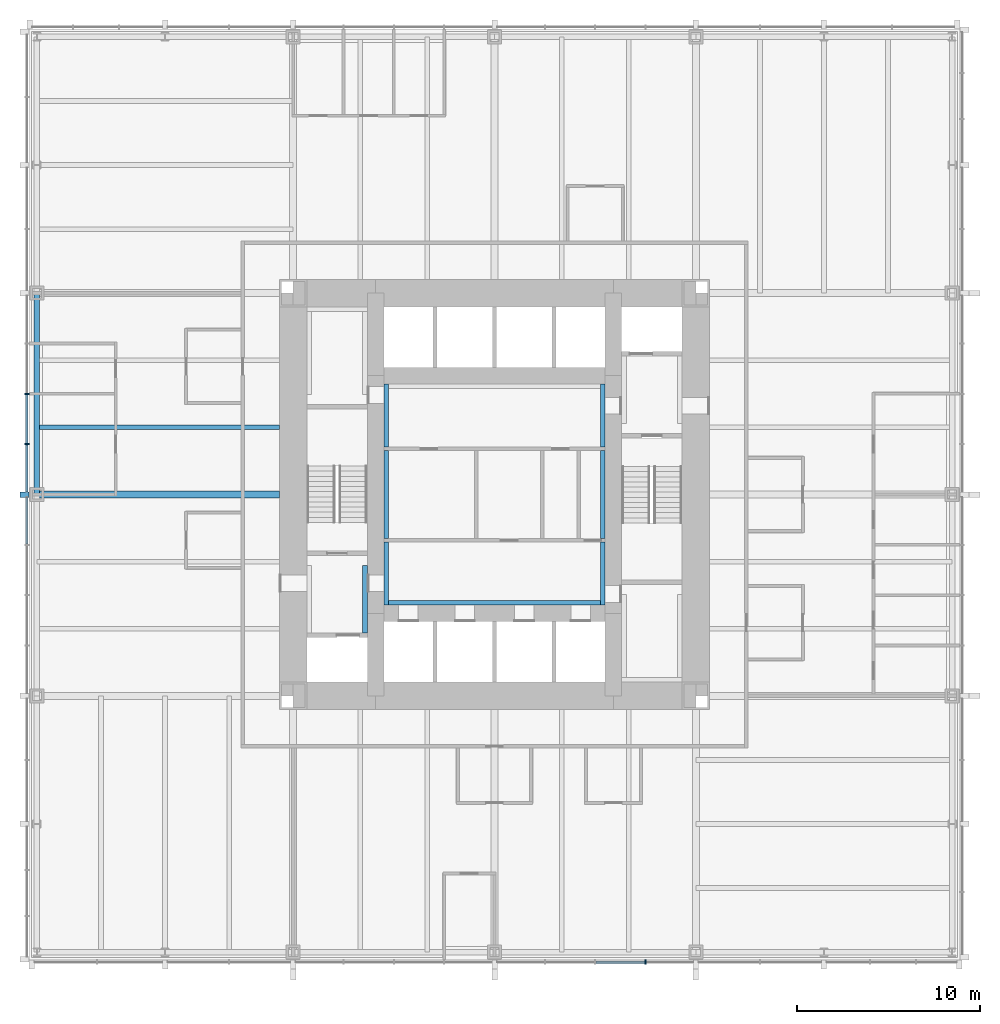
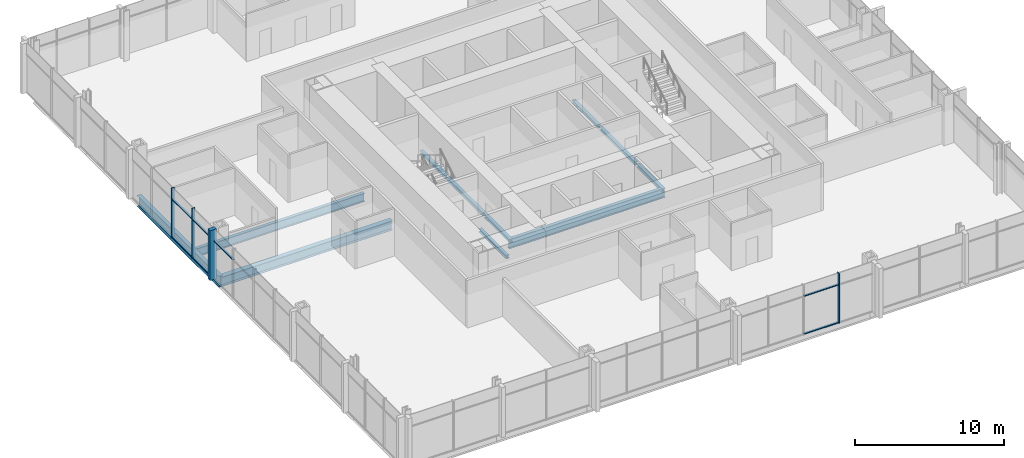
# One storey, part 3 of 12: 11 beams, 11 members, 2 elements without a shape of their own.
"""IFC4 building model written with IfcOpenShell, lengths in metres."""

from ifc_helpers import new_model, si_unit, direction, frame, origin, origin_2d, place, context, subcontext, project, spatial, rectangle, i_section, extrude, material, material_profile, profile_set, type_object, element, aggregate, save


model = new_model("IFC4")

# Units and contexts
model_context = context("Model", 3, precision=1e-05, world=origin(), true_north=direction((0.0, 1.0)))
body_context = subcontext(model_context, "Body", "Model", "MODEL_VIEW")
ifc_project = project(units=[si_unit("LENGTHUNIT", "METRE"), si_unit("AREAUNIT", "SQUARE_METRE"), si_unit("VOLUMEUNIT", "CUBIC_METRE"), si_unit("PLANEANGLEUNIT", "RADIAN"), si_unit("MASSUNIT", "GRAM", prefix="KILO")], contexts=[model_context])

# Site, building, storey
site_placement = place(None, origin())
site = spatial("IfcSite", under=ifc_project, at=site_placement, CompositionType="ELEMENT")
building_placement = place(site_placement, origin())
building = spatial("IfcBuilding", under=site, at=building_placement, Name="Trevanion Tower", CompositionType="ELEMENT")
storey_placement = place(building_placement, frame((0.0, 0.0, 40.60009765625)))
storey = spatial("IfcBuildingStorey", under=building, at=storey_placement, Name="L09", CompositionType="ELEMENT", Elevation=40.60009765625)

# Beam
ifc_material_1 = material(Name="Steel ASTM A992 Grade 50", Category="steel")
ifc_material_profile_1 = material_profile(ifc_material_1, i_section(OverallWidth=0.25390625, OverallDepth=0.700927734375, WebThickness=0.015380859375, FlangeThickness=0.02783203125, at=origin_2d()), Name="W27X129")
ifc_profile_set_1 = profile_set([ifc_material_profile_1], Name="Steel ASTM A992 Grade 50")
beam_type_1 = type_object("IfcBeamType", Name="B3 W27X129", PredefinedType="BEAM", material=ifc_profile_set_1)
beam_1_placement = place(storey_placement, frame((-11.75, 3.666748046875, -0.54052734375), z_axis=(-1.0, 0.0, 0.0), x_axis=(0.0, -1.0, 0.0)))
element("IfcBeam", 1, at=beam_1_placement, inside=storey, type_object=beam_type_1, Name="B3 L09", PredefinedType="BEAM", context=body_context, shape_type="SweptSolid", body=[
    extrude(i_section(OverallWidth=0.25390625, OverallDepth=0.700927734375, WebThickness=0.015380859375, FlangeThickness=0.02783203125, at=origin_2d()), origin(), (0.0, 0.0, 1.0), 13.25),
])

# Curtain wall, members
ifc_material_2 = material(Name="Aluminium and glass", Category="aluminium")
curtain_wall_type = type_object("IfcCurtainWallType", Name="CW1 curtain wall", PredefinedType="USERDEFINED", material=ifc_material_2)
curtain_wall_1_placement = place(storey_placement, origin())
curtain_wall_1 = element("IfcCurtainWall", 2, at=curtain_wall_1_placement, inside=storey, type_object=curtain_wall_type, Name="CW1 L09 2", ObjectType="UNITISED CURTAIN WALL", PredefinedType="USERDEFINED")
ifc_material_3 = material(Name="Aluminium extrusion, anodised bronze", Category="aluminium")
ifc_material_profile_2 = material_profile(ifc_material_3, rectangle(XDim=0.074951171875, YDim=0.25, at=origin_2d()), Name="CW1 mullion")
ifc_profile_set_2 = profile_set([ifc_material_profile_2], Name="Aluminium extrusion, anodised bronze")
member_type_1 = type_object("IfcMemberType", Name="CW1 mullion", PredefinedType="MULLION", material=ifc_profile_set_2)
member_1_placement = place(storey_placement, frame((-25.550048828125, 5.5, -0.190185546875), z_axis=(0.0, 0.0, 1.0), x_axis=(0.0, -1.0, 0.0)))
member_1 = element("IfcMember", 3, at=member_1_placement, type_object=member_type_1, Name="CW1 mullion 7", PredefinedType="MULLION", context=body_context, shape_type="SweptSolid", body=[
    extrude(rectangle(XDim=0.074951171875, YDim=0.25, at=origin_2d()), origin(), (0.0, 0.0, 1.0), 4.10009765625),
])
member_2_placement = place(storey_placement, frame((-25.550048828125, 2.75, -0.190185546875), z_axis=(0.0, 0.0, 1.0), x_axis=(0.0, -1.0, 0.0)))
member_2 = element("IfcMember", 4, at=member_2_placement, type_object=member_type_1, Name="CW1 mullion 8", PredefinedType="MULLION", context=body_context, shape_type="SweptSolid", body=[
    extrude(rectangle(XDim=0.074951171875, YDim=0.25, at=origin_2d()), origin(), (0.0, 0.0, 1.0), 4.10009765625),
])

# Curtain wall, member
curtain_wall_2_placement = place(storey_placement, origin())
curtain_wall_2 = element("IfcCurtainWall", 5, at=curtain_wall_2_placement, inside=storey, type_object=curtain_wall_type, Name="CW1 L09 3", ObjectType="UNITISED CURTAIN WALL", PredefinedType="USERDEFINED")
member_3_placement = place(storey_placement, frame((8.25, -25.550048828125, -0.190185546875), z_axis=(0.0, 0.0, 1.0), x_axis=(1.0, 0.0, 0.0)))
member_3 = element("IfcMember", 6, at=member_3_placement, type_object=member_type_1, Name="CW1 mullion 12", PredefinedType="MULLION", context=body_context, shape_type="SweptSolid", body=[
    extrude(rectangle(XDim=0.074951171875, YDim=0.25, at=origin_2d()), origin(), (0.0, 0.0, 1.0), 4.10009765625),
])

# Member
ifc_material_4 = material(Name="Aluminium extrusion, anodised bronze", Category="aluminium")
ifc_material_profile_3 = material_profile(ifc_material_4, rectangle(XDim=0.300048828125, YDim=0.5, at=origin_2d()), Name="CW1 pier mullion")
ifc_profile_set_3 = profile_set([ifc_material_profile_3], Name="Aluminium extrusion, anodised bronze")
member_type_2 = type_object("IfcMemberType", Name="CW1 pier mullion", PredefinedType="MULLION", material=ifc_profile_set_3)
member_4_placement = place(storey_placement, frame((-25.675048828125, 0.0, -0.190185546875), z_axis=(0.0, 0.0, 1.0), x_axis=(0.0, -1.0, 0.0)))
member_4 = element("IfcMember", 7, at=member_4_placement, type_object=member_type_2, Name="CW1 pier mullion 9", PredefinedType="MULLION", context=body_context, shape_type="SweptSolid", body=[
    extrude(rectangle(XDim=0.300048828125, YDim=0.5, at=origin_2d()), origin(), (0.0, 0.0, 1.0), 4.10009765625),
])

ifc_material_5 = material(Name="Aluminium extrusion, anodised bronze", Category="aluminium")
ifc_material_profile_4 = material_profile(ifc_material_5, rectangle(XDim=0.14990234375, YDim=0.074951171875, at=origin_2d()), Name="CW1 transom")
ifc_profile_set_4 = profile_set([ifc_material_profile_4], Name="Aluminium extrusion, anodised bronze")
member_type_3 = type_object("IfcMemberType", Name="CW1 transom", PredefinedType="USERDEFINED", material=ifc_profile_set_4)
member_5_placement = place(storey_placement, frame((-25.550048828125, 5.46240234375, -0.152587890625), z_axis=(0.0, -1.0, 0.0), x_axis=(1.0, 0.0, 0.0)))
member_5 = element("IfcMember", 8, at=member_5_placement, type_object=member_type_3, Name="CW1 transom 7.1", ObjectType="TRANSOM", PredefinedType="USERDEFINED", context=body_context, shape_type="SweptSolid", body=[
    extrude(rectangle(XDim=0.14990234375, YDim=0.074951171875, at=origin_2d()), origin(), (0.0, 0.0, 1.0), 2.6748046875),
])

member_6_placement = place(storey_placement, frame((-25.550048828125, 5.46240234375, 2.9599609375), z_axis=(0.0, -1.0, 0.0), x_axis=(1.0, 0.0, 0.0)))
member_6 = element("IfcMember", 9, at=member_6_placement, type_object=member_type_3, Name="CW1 transom 7.2", ObjectType="TRANSOM", PredefinedType="USERDEFINED", context=body_context, shape_type="SweptSolid", body=[
    extrude(rectangle(XDim=0.14990234375, YDim=0.074951171875, at=origin_2d()), origin(), (0.0, 0.0, 1.0), 2.6748046875),
])

member_7_placement = place(storey_placement, frame((-25.550048828125, 2.71240234375, -0.152587890625), z_axis=(0.0, -1.0, 0.0), x_axis=(1.0, 0.0, 0.0)))
member_7 = element("IfcMember", 10, at=member_7_placement, type_object=member_type_3, Name="CW1 transom 8.1", ObjectType="TRANSOM", PredefinedType="USERDEFINED", context=body_context, shape_type="SweptSolid", body=[
    extrude(rectangle(XDim=0.14990234375, YDim=0.074951171875, at=origin_2d()), origin(), (0.0, 0.0, 1.0), 2.5625),
])

member_8_placement = place(storey_placement, frame((-25.550048828125, 2.71240234375, 2.9599609375), z_axis=(0.0, -1.0, 0.0), x_axis=(1.0, 0.0, 0.0)))
member_8 = element("IfcMember", 11, at=member_8_placement, type_object=member_type_3, Name="CW1 transom 8.2", ObjectType="TRANSOM", PredefinedType="USERDEFINED", context=body_context, shape_type="SweptSolid", body=[
    extrude(rectangle(XDim=0.14990234375, YDim=0.074951171875, at=origin_2d()), origin(), (0.0, 0.0, 1.0), 2.5625),
])

member_9_placement = place(storey_placement, frame((-25.550048828125, -0.14990234375, 2.9599609375), z_axis=(0.0, -1.0, 0.0), x_axis=(1.0, 0.0, 0.0)))
member_9 = element("IfcMember", 12, at=member_9_placement, type_object=member_type_3, Name="CW1 transom 9.2", ObjectType="TRANSOM", PredefinedType="USERDEFINED", context=body_context, shape_type="SweptSolid", body=[
    extrude(rectangle(XDim=0.14990234375, YDim=0.074951171875, at=origin_2d()), origin(), (0.0, 0.0, 1.0), 2.5625),
])

aggregate(curtain_wall_1, [member_1, member_2, member_4, member_5, member_6, member_7, member_8, member_9])

member_10_placement = place(storey_placement, frame((5.53759765625, -25.550048828125, -0.152587890625), z_axis=(1.0, 0.0, 0.0), x_axis=(0.0, 1.0, 0.0)))
member_10 = element("IfcMember", 13, at=member_10_placement, type_object=member_type_3, Name="CW1 transom 11.1", ObjectType="TRANSOM", PredefinedType="USERDEFINED", context=body_context, shape_type="SweptSolid", body=[
    extrude(rectangle(XDim=0.14990234375, YDim=0.074951171875, at=origin_2d()), origin(), (0.0, 0.0, 1.0), 2.6748046875),
])

member_11_placement = place(storey_placement, frame((5.53759765625, -25.550048828125, 2.9599609375), z_axis=(1.0, 0.0, 0.0), x_axis=(0.0, 1.0, 0.0)))
member_11 = element("IfcMember", 14, at=member_11_placement, type_object=member_type_3, Name="CW1 transom 11.2", ObjectType="TRANSOM", PredefinedType="USERDEFINED", context=body_context, shape_type="SweptSolid", body=[
    extrude(rectangle(XDim=0.14990234375, YDim=0.074951171875, at=origin_2d()), origin(), (0.0, 0.0, 1.0), 2.6748046875),
])

aggregate(curtain_wall_2, [member_3, member_10, member_11])

# Beams
ifc_material_6 = material(Name="Steel ASTM A992 Grade 50", Category="steel")
ifc_material_profile_5 = material_profile(ifc_material_6, i_section(OverallWidth=0.381103515625, OverallDepth=0.77978515625, WebThickness=0.01806640625, FlangeThickness=0.0302734375, at=origin_2d()), Name="W30X191")
ifc_profile_set_5 = profile_set([ifc_material_profile_5], Name="Steel ASTM A992 Grade 50")
beam_type_2 = type_object("IfcBeamType", Name="G2 W30X191", PredefinedType="BEAM", material=ifc_profile_set_5)
beam_2_placement = place(storey_placement, frame((-11.75, 0.0, -0.580078125), z_axis=(-1.0, 0.0, 0.0), x_axis=(0.0, -1.0, 0.0)))
element("IfcBeam", 15, at=beam_2_placement, inside=storey, type_object=beam_type_2, Name="G2 L09", PredefinedType="BEAM", context=body_context, shape_type="SweptSolid", body=[
    extrude(i_section(OverallWidth=0.381103515625, OverallDepth=0.77978515625, WebThickness=0.01806640625, FlangeThickness=0.0302734375, at=origin_2d()), origin(), (0.0, 0.0, 1.0), 13.25),
])
ifc_material_7 = material(Name="Steel ASTM A992 Grade 50", Category="steel")
ifc_material_profile_6 = material_profile(ifc_material_7, i_section(OverallWidth=0.256591796875, OverallDepth=0.26416015625, WebThickness=0.011962890625, FlangeThickness=0.01953125, at=origin_2d()), Name="W10X68")
ifc_profile_set_6 = profile_set([ifc_material_profile_6], Name="Steel ASTM A992 Grade 50")
beam_type_3 = type_object("IfcBeamType", Name="LB1 W10X68", PredefinedType="BEAM", material=ifc_profile_set_6)
for number, where, z_axis, x_axis, name in (
    (16, (-5.921630859375, 2.60009765625, -0.332275390625), (0.0, 1.0, 0.0), (-1.0, 0.0, 0.0), "LB1 L09"),
    (17, (5.921630859375, 2.60009765625, -0.332275390625), (0.0, 1.0, 0.0), (-1.0, 0.0, 0.0), "LB1 L09"),
    (18, (-5.921630859375, -6.050048828125, -0.332275390625), (0.0, 1.0, 0.0), (-1.0, 0.0, 0.0), "LB1 L09"),
    (19, (5.921630859375, -6.050048828125, -0.332275390625), (0.0, 1.0, 0.0), (-1.0, 0.0, 0.0), "LB1 L09"),
):
    element("IfcBeam", number, at=place(storey_placement, frame(where, z_axis=z_axis, x_axis=x_axis)), inside=storey, type_object=beam_type_3, Name=name, PredefinedType="BEAM", context=body_context, shape_type="SweptSolid", body=[
        extrude(i_section(OverallWidth=0.256591796875, OverallDepth=0.26416015625, WebThickness=0.011962890625, FlangeThickness=0.01953125, at=origin_2d()), origin(), (0.0, 0.0, 1.0), 3.449951171875),
    ])
beam_3_placement = place(storey_placement, frame((-7.078369140625, -7.574951171875, -0.332275390625), z_axis=(0.0, 1.0, 0.0), x_axis=(-1.0, 0.0, 0.0)))
element("IfcBeam", 20, at=beam_3_placement, inside=storey, type_object=beam_type_3, Name="LB1 L09", PredefinedType="BEAM", context=body_context, shape_type="SweptSolid", body=[
    extrude(i_section(OverallWidth=0.256591796875, OverallDepth=0.26416015625, WebThickness=0.011962890625, FlangeThickness=0.01953125, at=origin_2d()), origin(), (0.0, 0.0, 1.0), 3.699951171875),
])
for number, where, z_axis, x_axis, name in (
    (21, (-5.921630859375, -2.39990234375, -0.332275390625), (0.0, 1.0, 0.0), (-1.0, 0.0, 0.0), "LB1 L09"),
    (22, (5.921630859375, -2.39990234375, -0.332275390625), (0.0, 1.0, 0.0), (-1.0, 0.0, 0.0), "LB1 L09"),
):
    element("IfcBeam", number, at=place(storey_placement, frame(where, z_axis=z_axis, x_axis=x_axis)), inside=storey, type_object=beam_type_3, Name=name, PredefinedType="BEAM", context=body_context, shape_type="SweptSolid", body=[
        extrude(i_section(OverallWidth=0.256591796875, OverallDepth=0.26416015625, WebThickness=0.011962890625, FlangeThickness=0.01953125, at=origin_2d()), origin(), (0.0, 0.0, 1.0), 4.7998046875),
    ])
ifc_material_8 = material(Name="Steel ASTM A992 Grade 50", Category="steel")
ifc_material_profile_7 = material_profile(ifc_material_8, i_section(OverallWidth=0.2666015625, OverallDepth=0.76953125, WebThickness=0.015625, FlangeThickness=0.025390625, at=origin_2d()), Name="W30X132")
ifc_profile_set_7 = profile_set([ifc_material_profile_7], Name="Steel ASTM A992 Grade 50")
beam_type_4 = type_object("IfcBeamType", Name="LB3 W30X132", PredefinedType="BEAM", material=ifc_profile_set_7)
beam_4_placement = place(storey_placement, frame((-6.050048828125, -5.91650390625, -0.5849609375), z_axis=(1.0, 0.0, 0.0), x_axis=(0.0, 1.0, 0.0)))
element("IfcBeam", 23, at=beam_4_placement, inside=storey, type_object=beam_type_4, Name="LB3 L09", PredefinedType="BEAM", context=body_context, shape_type="SweptSolid", body=[
    extrude(i_section(OverallWidth=0.2666015625, OverallDepth=0.76953125, WebThickness=0.015625, FlangeThickness=0.025390625, at=origin_2d()), origin(), (0.0, 0.0, 1.0), 12.10009765625),
])
ifc_material_9 = material(Name="Steel ASTM A992 Grade 50", Category="steel")
ifc_material_profile_8 = material_profile(ifc_material_9, i_section(OverallWidth=0.307373046875, OverallDepth=0.927001953125, WebThickness=0.01953125, FlangeThickness=0.031982421875, at=origin_2d()), Name="W36X194")
ifc_profile_set_8 = profile_set([ifc_material_profile_8], Name="Steel ASTM A992 Grade 50")
beam_type_5 = type_object("IfcBeamType", Name="SB2 W36X194", PredefinedType="SPANDREL", material=ifc_profile_set_8)
beam_5_placement = place(storey_placement, frame((-25.0, 11.0, -0.653564453125), z_axis=(0.0, -1.0, 0.0), x_axis=(1.0, 0.0, 0.0)))
element("IfcBeam", 24, at=beam_5_placement, inside=storey, type_object=beam_type_5, Name="SB2 L09", PredefinedType="SPANDREL", context=body_context, shape_type="SweptSolid", body=[
    extrude(i_section(OverallWidth=0.307373046875, OverallDepth=0.927001953125, WebThickness=0.01953125, FlangeThickness=0.031982421875, at=origin_2d()), origin(), (0.0, 0.0, 1.0), 11.0),
])

save(model, "model.ifc")
